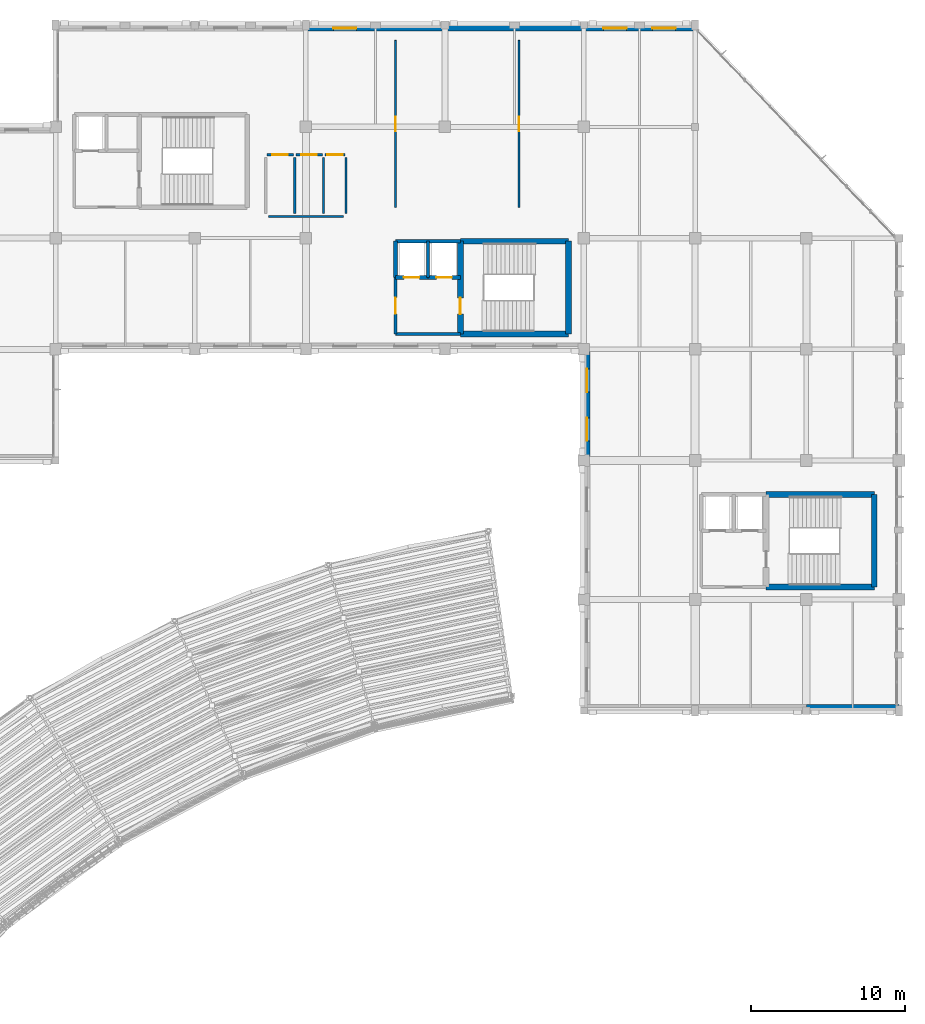
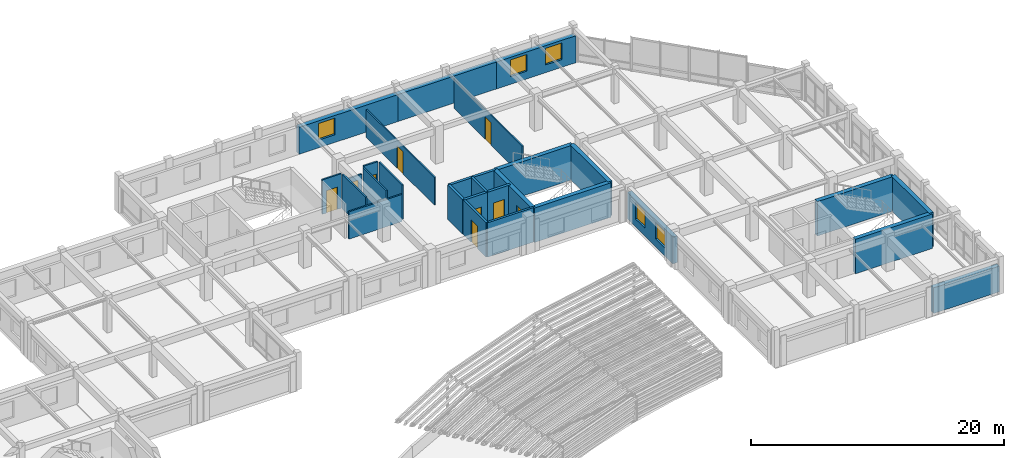
# One storey, part 55 of 74: 28 walls, 9 doors, 5 windows, 14 openings.
"""IFC4 building model written with IfcOpenShell, lengths in metres."""

from ifc_helpers import new_model, si_unit, direction, frame, frame_2d, origin, place, context, subcontext, project, spatial, rectangle, extrude, material, layer, layer_set, type_object, element, fill, save


model = new_model("IFC4")

# Units and contexts
model_context = context("Model", 3, precision=1e-05, world=origin(), true_north=direction((0.0, 1.0)))
body_context = subcontext(model_context, "Body", "Model", "MODEL_VIEW")
ifc_project = project(units=[si_unit("LENGTHUNIT", "METRE"), si_unit("AREAUNIT", "SQUARE_METRE"), si_unit("VOLUMEUNIT", "CUBIC_METRE"), si_unit("PLANEANGLEUNIT", "RADIAN"), si_unit("MASSUNIT", "GRAM", prefix="KILO")], contexts=[model_context])

# Site, building, storey
site_placement = place(None, origin())
site = spatial("IfcSite", under=ifc_project, at=site_placement, CompositionType="ELEMENT")
building_placement = place(site_placement, origin())
building = spatial("IfcBuilding", under=site, at=building_placement, Name="Clarverna Civic Hall", CompositionType="ELEMENT")
storey_placement = place(building_placement, frame((0.0, 0.0, 13.199951171875)))
storey = spatial("IfcBuildingStorey", under=building, at=storey_placement, Name="L03", CompositionType="ELEMENT", Elevation=13.199951171875)

# Wall, opening, window
ifc_material_1 = material(Name="Montjuic Limestone Ashlar Cladding", Category="masonry")
ifc_layer_1 = layer(ifc_material_1, 0.39990234375)
ifc_layer_set_1 = layer_set([ifc_layer_1], Name="Montjuic Limestone Ashlar Cladding")
wall_type_1 = type_object("IfcWallType", Name="EW-02", PredefinedType="SOLIDWALL", material=ifc_layer_set_1)
wall_1_placement = place(storey_placement, frame((129.60009765625, 115.800048828125, 0.0), z_axis=(0.0, 0.0, 1.0), x_axis=(1.0, 0.0, 0.0)))
wall_1 = element("IfcWall", 1, at=wall_1_placement, inside=storey, type_object=wall_type_1, Name="EW-02-145", PredefinedType="SOLIDWALL", context=body_context, shape_type="SweptSolid", body=[
    extrude(rectangle(XDim=9.0, YDim=0.39990234375, at=frame_2d((4.5, 0.0))), origin(), (0.0, 0.0, 1.0), 2.60009765625),
])
opening_1_placement = place(wall_1_placement, frame((1.77001953125, 0.0, 0.75)))
opening_1 = element("IfcOpeningElement", 2, at=opening_1_placement, cuts=wall_1, Name="Opening WN-14", PredefinedType="OPENING", context=body_context, shape_type="SweptSolid", body=[
    extrude(rectangle(XDim=1.5, YDim=1.60009765625, at=frame_2d((0.75, 0.800048828125))), frame((0.0, 0.2099609375, 0.0), z_axis=(0.0, -1.0, 0.0), x_axis=(1.0, 0.0, 0.0)), (0.0, 0.0, 1.0), 0.419921875),
])
ifc_material_2 = material(Name="Solar-Control Argon Low-E Double Glazing", Category="glass")
window_type = type_object("IfcWindowType", Name="WN-14", PartitioningType="DOUBLE_PANEL_HORIZONTAL", PredefinedType="WINDOW", material=ifc_material_2)
window_1_placement = place(opening_1_placement, origin())
window_1 = element("IfcWindow", 3, at=window_1_placement, inside=storey, type_object=window_type, Name="WN-14-121", OverallHeight=1.60009765625, OverallWidth=1.5, PartitioningType="DOUBLE_PANEL_HORIZONTAL", PredefinedType="WINDOW", context=body_context, shape_type="SweptSolid", body=[
    extrude(rectangle(XDim=1.5, YDim=1.60009765625, at=frame_2d((0.75, 0.800048828125))), frame((0.0, 0.030029296875, 0.0), z_axis=(0.0, -1.0, 0.0), x_axis=(1.0, 0.0, 0.0)), (0.0, 0.0, 1.0), 0.06005859375),
])
fill(opening_1, window_1)

# Wall
wall_2_placement = place(storey_placement, frame((138.60009765625, 115.800048828125, 0.0), z_axis=(0.0, 0.0, 1.0), x_axis=(1.0, 0.0, 0.0)))
element("IfcWall", 4, at=wall_2_placement, inside=storey, type_object=wall_type_1, Name="EW-02-146", PredefinedType="SOLIDWALL", context=body_context, shape_type="SweptSolid", body=[
    extrude(rectangle(XDim=9.0, YDim=0.39990234375, at=frame_2d((4.5, 0.0))), origin(), (0.0, 0.0, 1.0), 2.60009765625),
])

# Wall, openings, windows
wall_3_placement = place(storey_placement, frame((147.60009765625, 115.800048828125, 0.0), z_axis=(0.0, 0.0, 1.0), x_axis=(1.0, 0.0, 0.0)))
wall_3 = element("IfcWall", 5, at=wall_3_placement, inside=storey, type_object=wall_type_1, Name="EW-02-147", PredefinedType="SOLIDWALL", context=body_context, shape_type="SweptSolid", body=[
    extrude(rectangle(XDim=7.199951171875, YDim=0.39990234375, at=frame_2d((3.60009765625, 0.0))), origin(), (0.0, 0.0, 1.0), 2.60009765625),
])
opening_2_placement = place(wall_3_placement, frame((1.26611328125, 0.0, 0.75)))
opening_2 = element("IfcOpeningElement", 6, at=opening_2_placement, cuts=wall_3, Name="Opening WN-14", PredefinedType="OPENING", context=body_context, shape_type="SweptSolid", body=[
    extrude(rectangle(XDim=1.5, YDim=1.60009765625, at=frame_2d((0.75, 0.800048828125))), frame((0.0, 0.2099609375, 0.0), z_axis=(0.0, -1.0, 0.0), x_axis=(1.0, 0.0, 0.0)), (0.0, 0.0, 1.0), 0.419921875),
])
opening_3_placement = place(wall_3_placement, frame((4.43408203125, 0.0, 0.75)))
opening_3 = element("IfcOpeningElement", 7, at=opening_3_placement, cuts=wall_3, Name="Opening WN-14", PredefinedType="OPENING", context=body_context, shape_type="SweptSolid", body=[
    extrude(rectangle(XDim=1.5, YDim=1.60009765625, at=frame_2d((0.75, 0.800048828125))), frame((0.0, 0.2099609375, 0.0), z_axis=(0.0, -1.0, 0.0), x_axis=(1.0, 0.0, 0.0)), (0.0, 0.0, 1.0), 0.419921875),
])
window_2_placement = place(opening_2_placement, origin())
window_2 = element("IfcWindow", 8, at=window_2_placement, inside=storey, type_object=window_type, Name="WN-14-122", OverallHeight=1.60009765625, OverallWidth=1.5, PartitioningType="DOUBLE_PANEL_HORIZONTAL", PredefinedType="WINDOW", context=body_context, shape_type="SweptSolid", body=[
    extrude(rectangle(XDim=1.5, YDim=1.60009765625, at=frame_2d((0.75, 0.800048828125))), frame((0.0, 0.030029296875, 0.0), z_axis=(0.0, -1.0, 0.0), x_axis=(1.0, 0.0, 0.0)), (0.0, 0.0, 1.0), 0.06005859375),
])
fill(opening_2, window_2)
window_3_placement = place(opening_3_placement, origin())
window_3 = element("IfcWindow", 9, at=window_3_placement, inside=storey, type_object=window_type, Name="WN-14-123", OverallHeight=1.60009765625, OverallWidth=1.5, PartitioningType="DOUBLE_PANEL_HORIZONTAL", PredefinedType="WINDOW", context=body_context, shape_type="SweptSolid", body=[
    extrude(rectangle(XDim=1.5, YDim=1.60009765625, at=frame_2d((0.75, 0.800048828125))), frame((0.0, 0.030029296875, 0.0), z_axis=(0.0, -1.0, 0.0), x_axis=(1.0, 0.0, 0.0)), (0.0, 0.0, 1.0), 0.06005859375),
])
fill(opening_3, window_3)

# Wall
wall_4_placement = place(storey_placement, frame((168.0, 71.800048828125, 0.0), z_axis=(0.0, 0.0, 1.0), x_axis=(-1.0, 0.0, 0.0)))
element("IfcWall", 10, at=wall_4_placement, inside=storey, type_object=wall_type_1, Name="EW-02-148", PredefinedType="SOLIDWALL", context=body_context, shape_type="SweptSolid", body=[
    extrude(rectangle(XDim=6.0, YDim=0.39990234375, at=frame_2d((3.0, 0.0))), origin(), (0.0, 0.0, 1.0), 2.469970703125),
])

# Wall, openings, windows
wall_5_placement = place(storey_placement, frame((147.800048828125, 87.800048828125, 0.0), z_axis=(0.0, 0.0, 1.0), x_axis=(0.0, 1.0, 0.0)))
wall_5 = element("IfcWall", 11, at=wall_5_placement, inside=storey, type_object=wall_type_1, Name="EW-02-153", PredefinedType="SOLIDWALL", context=body_context, shape_type="SweptSolid", body=[
    extrude(rectangle(XDim=7.199951171875, YDim=0.39990234375, at=frame_2d((3.60009765625, 0.0))), origin(), (0.0, 0.0, 1.0), 2.570068359375),
])
opening_4_placement = place(wall_5_placement, frame((1.26611328125, 0.0, 0.75)))
opening_4 = element("IfcOpeningElement", 12, at=opening_4_placement, cuts=wall_5, Name="Opening WN-14", PredefinedType="OPENING", context=body_context, shape_type="SweptSolid", body=[
    extrude(rectangle(XDim=1.5, YDim=1.60009765625, at=frame_2d((0.75, 0.800048828125))), frame((0.0, 0.2099609375, 0.0), z_axis=(0.0, -1.0, 0.0), x_axis=(1.0, 0.0, 0.0)), (0.0, 0.0, 1.0), 0.419921875),
])
opening_5_placement = place(wall_5_placement, frame((4.43408203125, 0.0, 0.75)))
opening_5 = element("IfcOpeningElement", 13, at=opening_5_placement, cuts=wall_5, Name="Opening WN-14", PredefinedType="OPENING", context=body_context, shape_type="SweptSolid", body=[
    extrude(rectangle(XDim=1.5, YDim=1.60009765625, at=frame_2d((0.75, 0.800048828125))), frame((0.0, 0.2099609375, 0.0), z_axis=(0.0, -1.0, 0.0), x_axis=(1.0, 0.0, 0.0)), (0.0, 0.0, 1.0), 0.419921875),
])
window_4_placement = place(opening_4_placement, origin())
window_4 = element("IfcWindow", 14, at=window_4_placement, inside=storey, type_object=window_type, Name="WN-14-128", OverallHeight=1.60009765625, OverallWidth=1.5, PartitioningType="DOUBLE_PANEL_HORIZONTAL", PredefinedType="WINDOW", context=body_context, shape_type="SweptSolid", body=[
    extrude(rectangle(XDim=1.5, YDim=1.60009765625, at=frame_2d((0.75, 0.800048828125))), frame((0.0, 0.030029296875, 0.0), z_axis=(0.0, -1.0, 0.0), x_axis=(1.0, 0.0, 0.0)), (0.0, 0.0, 1.0), 0.06005859375),
])
fill(opening_4, window_4)
window_5_placement = place(opening_5_placement, origin())
window_5 = element("IfcWindow", 15, at=window_5_placement, inside=storey, type_object=window_type, Name="WN-14-129", OverallHeight=1.60009765625, OverallWidth=1.5, PartitioningType="DOUBLE_PANEL_HORIZONTAL", PredefinedType="WINDOW", context=body_context, shape_type="SweptSolid", body=[
    extrude(rectangle(XDim=1.5, YDim=1.60009765625, at=frame_2d((0.75, 0.800048828125))), frame((0.0, 0.030029296875, 0.0), z_axis=(0.0, -1.0, 0.0), x_axis=(1.0, 0.0, 0.0)), (0.0, 0.0, 1.0), 0.06005859375),
])
fill(opening_5, window_5)

# Walls
ifc_material_3 = material(Name="Ceramic Brick and Plaster Wet-Room Partition", Category="masonry")
ifc_layer_2 = layer(ifc_material_3, 0.139892578125)
ifc_layer_set_2 = layer_set([ifc_layer_2], Name="Ceramic Brick and Plaster Wet-Room Partition")
wall_type_2 = type_object("IfcWallType", Name="PW-02", PredefinedType="PARTITIONING", material=ifc_layer_set_2)
wall_6_placement = place(storey_placement, frame((127.179931640625, 103.60009765625, 0.0), z_axis=(0.0, 0.0, 1.0), x_axis=(1.0, 0.0, 0.0)))
element("IfcWall", 16, at=wall_6_placement, inside=storey, type_object=wall_type_2, Name="PW-02-033", PredefinedType="PARTITIONING", context=body_context, shape_type="SweptSolid", body=[
    extrude(rectangle(XDim=4.840087890625, YDim=0.139892578125, at=frame_2d((2.419921875, 0.0))), origin(), (0.0, 0.0, 1.0), 2.6201171875),
])
for number, where, z_axis, x_axis, name in (
    (17, (132.199951171875, 103.780029296875, 0.0), (0.0, 0.0, 1.0), (0.0, 1.0, 0.0), "PW-02-035"),
    (18, (128.8720703125, 103.780029296875, 0.0), (0.0, 0.0, 1.0), (0.0, 1.0, 0.0), "PW-02-036"),
    (19, (130.743896484375, 103.780029296875, 0.0), (0.0, 0.0, 1.0), (0.0, 1.0, 0.0), "PW-02-037"),
):
    element("IfcWall", number, at=place(storey_placement, frame(where, z_axis=z_axis, x_axis=x_axis)), inside=storey, type_object=wall_type_2, Name=name, PredefinedType="PARTITIONING", context=body_context, shape_type="SweptSolid", body=[
        extrude(rectangle(XDim=3.639892578125, YDim=0.139892578125, at=frame_2d((1.81982421875, 0.0))), origin(), (0.0, 0.0, 1.0), 3.320068359375),
    ])

# Wall, opening, door
wall_7_placement = place(storey_placement, frame((127.080078125, 107.60009765625, 0.0), z_axis=(0.0, 0.0, 1.0), x_axis=(1.0, 0.0, 0.0)))
wall_7 = element("IfcWall", 20, at=wall_7_placement, inside=storey, type_object=wall_type_2, Name="PW-02-038", PredefinedType="PARTITIONING", context=body_context, shape_type="SweptSolid", body=[
    extrude(rectangle(XDim=1.7119140625, YDim=0.139892578125, at=frame_2d((0.85595703125, 0.0))), origin(), (0.0, 0.0, 1.0), 3.320068359375),
])
opening_6_placement = place(wall_7_placement, frame((0.35595703125, 0.0, 0.0)))
opening_6 = element("IfcOpeningElement", 21, at=opening_6_placement, cuts=wall_7, Name="Opening ID-02", PredefinedType="OPENING", context=body_context, shape_type="SweptSolid", body=[
    extrude(rectangle(XDim=1.0, YDim=2.14990234375, at=frame_2d((0.5, 1.074951171875))), frame((0.0, 0.079833984375, 0.0), z_axis=(0.0, -1.0, 0.0), x_axis=(1.0, 0.0, 0.0)), (0.0, 0.0, 1.0), 0.159912109375),
])
ifc_material_4 = material(Name="European Oak Veneered Acoustic Timber Door", Category="wood")
door_type_1 = type_object("IfcDoorType", Name="ID-02", OperationType="NOTDEFINED", PredefinedType="DOOR", material=ifc_material_4)
door_1_placement = place(opening_6_placement, origin())
door_1 = element("IfcDoor", 22, at=door_1_placement, inside=storey, type_object=door_type_1, Name="ID-02-013", OperationType="SINGLE_SWING_LEFT", OverallHeight=2.14990234375, OverallWidth=1.0, PredefinedType="DOOR", context=body_context, shape_type="SweptSolid", body=[
    extrude(rectangle(XDim=1.0, YDim=2.14990234375, at=frame_2d((0.5, 1.074951171875))), frame((0.0, 0.02490234375, 0.0), z_axis=(0.0, -1.0, 0.0), x_axis=(1.0, 0.0, 0.0)), (0.0, 0.0, 1.0), 0.050048828125),
])
fill(opening_6, door_1)

wall_8_placement = place(storey_placement, frame((128.951904296875, 107.60009765625, 0.0), z_axis=(0.0, 0.0, 1.0), x_axis=(1.0, 0.0, 0.0)))
wall_8 = element("IfcWall", 23, at=wall_8_placement, inside=storey, type_object=wall_type_2, Name="PW-02-039", PredefinedType="PARTITIONING", context=body_context, shape_type="SweptSolid", body=[
    extrude(rectangle(XDim=1.712158203125, YDim=0.139892578125, at=frame_2d((0.85595703125, 0.0))), origin(), (0.0, 0.0, 1.0), 2.6201171875),
])
opening_7_placement = place(wall_8_placement, frame((0.35595703125, 0.0, 0.0)))
opening_7 = element("IfcOpeningElement", 24, at=opening_7_placement, cuts=wall_8, Name="Opening ID-02", PredefinedType="OPENING", context=body_context, shape_type="SweptSolid", body=[
    extrude(rectangle(XDim=1.0, YDim=2.14990234375, at=frame_2d((0.5, 1.074951171875))), frame((0.0, 0.079833984375, 0.0), z_axis=(0.0, -1.0, 0.0), x_axis=(1.0, 0.0, 0.0)), (0.0, 0.0, 1.0), 0.159912109375),
])
door_2_placement = place(opening_7_placement, origin())
door_2 = element("IfcDoor", 25, at=door_2_placement, inside=storey, type_object=door_type_1, Name="ID-02-014", OperationType="SINGLE_SWING_RIGHT", OverallHeight=2.14990234375, OverallWidth=1.0, PredefinedType="DOOR", context=body_context, shape_type="SweptSolid", body=[
    extrude(rectangle(XDim=1.0, YDim=2.14990234375, at=frame_2d((0.5, 1.074951171875))), frame((0.0, 0.02490234375, 0.0), z_axis=(0.0, -1.0, 0.0), x_axis=(1.0, 0.0, 0.0)), (0.0, 0.0, 1.0), 0.050048828125),
])
fill(opening_7, door_2)

wall_9_placement = place(storey_placement, frame((130.823974609375, 107.60009765625, 0.0), z_axis=(0.0, 0.0, 1.0), x_axis=(1.0, 0.0, 0.0)))
wall_9 = element("IfcWall", 26, at=wall_9_placement, inside=storey, type_object=wall_type_2, Name="PW-02-040", PredefinedType="PARTITIONING", context=body_context, shape_type="SweptSolid", body=[
    extrude(rectangle(XDim=1.296142578125, YDim=0.139892578125, at=frame_2d((0.64794921875, 0.0))), origin(), (0.0, 0.0, 1.0), 3.320068359375),
])
opening_8_placement = place(wall_9_placement, frame((0.14794921875, 0.0, 0.0)))
opening_8 = element("IfcOpeningElement", 27, at=opening_8_placement, cuts=wall_9, Name="Opening ID-02", PredefinedType="OPENING", context=body_context, shape_type="SweptSolid", body=[
    extrude(rectangle(XDim=1.0, YDim=2.14990234375, at=frame_2d((0.5, 1.074951171875))), frame((0.0, 0.079833984375, 0.0), z_axis=(0.0, -1.0, 0.0), x_axis=(1.0, 0.0, 0.0)), (0.0, 0.0, 1.0), 0.159912109375),
])
door_3_placement = place(opening_8_placement, origin())
door_3 = element("IfcDoor", 28, at=door_3_placement, inside=storey, type_object=door_type_1, Name="ID-02-015", OperationType="SINGLE_SWING_LEFT", OverallHeight=2.14990234375, OverallWidth=1.0, PredefinedType="DOOR", context=body_context, shape_type="SweptSolid", body=[
    extrude(rectangle(XDim=1.0, YDim=2.14990234375, at=frame_2d((0.5, 1.074951171875))), frame((0.0, 0.02490234375, 0.0), z_axis=(0.0, -1.0, 0.0), x_axis=(1.0, 0.0, 0.0)), (0.0, 0.0, 1.0), 0.050048828125),
])
fill(opening_8, door_3)

ifc_material_5 = material(Name="Gypsum Plasterboard Partition", Category="gypsum")
ifc_layer_3 = layer(ifc_material_5, 0.1201171875)
ifc_layer_set_3 = layer_set([ifc_layer_3], Name="Gypsum Plasterboard Partition")
wall_type_3 = type_object("IfcWallType", Name="PW-03", PredefinedType="PARTITIONING", material=ifc_layer_set_3)
wall_10_placement = place(storey_placement, frame((135.39990234375, 104.199951171875, 0.0), z_axis=(0.0, 0.0, 1.0), x_axis=(0.0, 1.0, 0.0)))
wall_10 = element("IfcWall", 29, at=wall_10_placement, inside=storey, type_object=wall_type_3, Name="PW-03-005", PredefinedType="PARTITIONING", context=body_context, shape_type="SweptSolid", body=[
    extrude(rectangle(XDim=10.800048828125, YDim=0.1201171875, at=frame_2d((5.39990234375, 0.0))), origin(), (0.0, 0.0, 1.0), 2.670166015625),
])
opening_9_placement = place(wall_10_placement, frame((4.925048828125, 0.0, 0.0)))
opening_9 = element("IfcOpeningElement", 30, at=opening_9_placement, cuts=wall_10, Name="Opening ID-01", PredefinedType="OPENING", context=body_context, shape_type="SweptSolid", body=[
    extrude(rectangle(XDim=0.949951171875, YDim=2.14990234375, at=frame_2d((0.47509765625, 1.074951171875))), frame((0.0, 0.070068359375, 0.0), z_axis=(0.0, -1.0, 0.0), x_axis=(1.0, 0.0, 0.0)), (0.0, 0.0, 1.0), 0.14013671875),
])
door_type_2 = type_object("IfcDoorType", Name="ID-01", OperationType="NOTDEFINED", PredefinedType="DOOR", material=ifc_material_4)
door_4_placement = place(opening_9_placement, origin())
door_4 = element("IfcDoor", 31, at=door_4_placement, inside=storey, type_object=door_type_2, Name="ID-01-006", OperationType="SINGLE_SWING_LEFT", OverallHeight=2.14990234375, OverallWidth=0.949951171875, PredefinedType="DOOR", context=body_context, shape_type="SweptSolid", body=[
    extrude(rectangle(XDim=0.949951171875, YDim=2.14990234375, at=frame_2d((0.47509765625, 1.074951171875))), frame((0.0, 0.02490234375, 0.0), z_axis=(0.0, -1.0, 0.0), x_axis=(1.0, 0.0, 0.0)), (0.0, 0.0, 1.0), 0.050048828125),
])
fill(opening_9, door_4)

wall_11_placement = place(storey_placement, frame((143.39990234375, 104.199951171875, 0.0), z_axis=(0.0, 0.0, 1.0), x_axis=(0.0, 1.0, 0.0)))
wall_11 = element("IfcWall", 32, at=wall_11_placement, inside=storey, type_object=wall_type_3, Name="PW-03-006", PredefinedType="PARTITIONING", context=body_context, shape_type="SweptSolid", body=[
    extrude(rectangle(XDim=10.800048828125, YDim=0.1201171875, at=frame_2d((5.39990234375, 0.0))), origin(), (0.0, 0.0, 1.0), 2.8701171875),
])
opening_10_placement = place(wall_11_placement, frame((4.925048828125, 0.0, 0.0)))
opening_10 = element("IfcOpeningElement", 33, at=opening_10_placement, cuts=wall_11, Name="Opening ID-01", PredefinedType="OPENING", context=body_context, shape_type="SweptSolid", body=[
    extrude(rectangle(XDim=0.949951171875, YDim=2.14990234375, at=frame_2d((0.47509765625, 1.074951171875))), frame((0.0, 0.070068359375, 0.0), z_axis=(0.0, -1.0, 0.0), x_axis=(1.0, 0.0, 0.0)), (0.0, 0.0, 1.0), 0.14013671875),
])
door_5_placement = place(opening_10_placement, origin())
door_5 = element("IfcDoor", 34, at=door_5_placement, inside=storey, type_object=door_type_2, Name="ID-01-007", OperationType="SINGLE_SWING_RIGHT", OverallHeight=2.14990234375, OverallWidth=0.949951171875, PredefinedType="DOOR", context=body_context, shape_type="SweptSolid", body=[
    extrude(rectangle(XDim=0.949951171875, YDim=2.14990234375, at=frame_2d((0.47509765625, 1.074951171875))), frame((0.0, 0.02490234375, 0.0), z_axis=(0.0, -1.0, 0.0), x_axis=(1.0, 0.0, 0.0)), (0.0, 0.0, 1.0), 0.050048828125),
])
fill(opening_10, door_5)

ifc_material_6 = material(Name="Acoustic Gypsum Plasterboard on Twin Frame", Category="gypsum")
ifc_layer_4 = layer(ifc_material_6, 0.18994140625)
ifc_layer_set_4 = layer_set([ifc_layer_4], Name="Acoustic Gypsum Plasterboard on Twin Frame")
wall_type_4 = type_object("IfcWallType", Name="PW-06", PredefinedType="PARTITIONING", material=ifc_layer_set_4)
wall_12_placement = place(storey_placement, frame((135.39990234375, 96.0, 0.0), z_axis=(0.0, 0.0, 1.0), x_axis=(0.0, 1.0, 0.0)))
wall_12 = element("IfcWall", 35, at=wall_12_placement, inside=storey, type_object=wall_type_4, Name="PW-06-009", PredefinedType="PARTITIONING", context=body_context, shape_type="SweptSolid", body=[
    extrude(rectangle(XDim=3.64990234375, YDim=0.18994140625, at=frame_2d((1.824951171875, 0.0))), origin(), (0.0, 0.0, 1.0), 3.320068359375),
])
opening_11_placement = place(wall_12_placement, frame((1.300048828125, 0.0, 0.0)))
opening_11 = element("IfcOpeningElement", 36, at=opening_11_placement, cuts=wall_12, Name="Opening FD-02", PredefinedType="OPENING", context=body_context, shape_type="SweptSolid", body=[
    extrude(rectangle(XDim=1.050048828125, YDim=2.14990234375, at=frame_2d((0.52490234375, 1.074951171875))), frame((0.0, 0.10498046875, 0.0), z_axis=(0.0, -1.0, 0.0), x_axis=(1.0, 0.0, 0.0)), (0.0, 0.0, 1.0), 0.2099609375),
])
ifc_material_7 = material(Name="Acoustic Timber-Faced Fire Door", Category="wood")
door_type_3 = type_object("IfcDoorType", Name="FD-02", OperationType="NOTDEFINED", PredefinedType="DOOR", material=ifc_material_7)
door_6_placement = place(opening_11_placement, origin())
door_6 = element("IfcDoor", 37, at=door_6_placement, inside=storey, type_object=door_type_3, Name="FD-02-009", OperationType="SINGLE_SWING_RIGHT", OverallHeight=2.14990234375, OverallWidth=1.050048828125, PredefinedType="DOOR", context=body_context, shape_type="SweptSolid", body=[
    extrude(rectangle(XDim=1.050048828125, YDim=2.14990234375, at=frame_2d((0.52490234375, 1.074951171875))), frame((0.0, 0.02490234375, 0.0), z_axis=(0.0, -1.0, 0.0), x_axis=(1.0, 0.0, 0.0)), (0.0, 0.0, 1.0), 0.050048828125),
])
fill(opening_11, door_6)

# Wall
wall_13_placement = place(storey_placement, frame((135.39990234375, 96.0, 0.0), z_axis=(0.0, 0.0, 1.0), x_axis=(1.0, 0.0, 0.0)))
element("IfcWall", 38, at=wall_13_placement, inside=storey, type_object=wall_type_4, Name="PW-06-010", PredefinedType="PARTITIONING", context=body_context, shape_type="SweptSolid", body=[
    extrude(rectangle(XDim=4.2001953125, YDim=0.18994140625, at=frame_2d((2.10009765625, 0.0))), origin(), (0.0, 0.0, 1.0), 3.320068359375),
])

# Wall, opening, door
ifc_material_8 = material(Name="Concrete C35/45", Category="concrete")
ifc_layer_5 = layer(ifc_material_8, 0.3798828125)
ifc_layer_set_5 = layer_set([ifc_layer_5], Name="Concrete C35/45")
wall_type_5 = type_object("IfcWallType", Name="SW-01", PredefinedType="SHEAR", material=ifc_layer_set_5)
wall_14_placement = place(storey_placement, frame((139.60009765625, 96.0, 0.0), z_axis=(0.0, 0.0, 1.0), x_axis=(0.0, 1.0, 0.0)))
wall_14 = element("IfcWall", 39, at=wall_14_placement, inside=storey, type_object=wall_type_5, Name="SW-01-037", PredefinedType="SHEAR", context=body_context, shape_type="SweptSolid", body=[
    extrude(rectangle(XDim=6.0, YDim=0.3798828125, at=frame_2d((3.0, 0.0))), origin(), (0.0, 0.0, 1.0), 3.320068359375),
])
opening_12_placement = place(wall_14_placement, frame((1.27490234375, 0.0, 0.0)))
opening_12 = element("IfcOpeningElement", 40, at=opening_12_placement, cuts=wall_14, Name="Opening FD-02", PredefinedType="OPENING", context=body_context, shape_type="SweptSolid", body=[
    extrude(rectangle(XDim=1.050048828125, YDim=2.14990234375, at=frame_2d((0.52490234375, 1.074951171875))), frame((0.0, 0.199951171875, 0.0), z_axis=(0.0, -1.0, 0.0), x_axis=(1.0, 0.0, 0.0)), (0.0, 0.0, 1.0), 0.39990234375),
])
door_7_placement = place(opening_12_placement, origin())
door_7 = element("IfcDoor", 41, at=door_7_placement, inside=storey, type_object=door_type_3, Name="FD-02-008", OperationType="SINGLE_SWING_LEFT", OverallHeight=2.14990234375, OverallWidth=1.050048828125, PredefinedType="DOOR", context=body_context, shape_type="SweptSolid", body=[
    extrude(rectangle(XDim=1.050048828125, YDim=2.14990234375, at=frame_2d((0.52490234375, 1.074951171875))), frame((0.0, 0.02490234375, 0.0), z_axis=(0.0, -1.0, 0.0), x_axis=(1.0, 0.0, 0.0)), (0.0, 0.0, 1.0), 0.050048828125),
])
fill(opening_12, door_7)

# Walls
wall_15_placement = place(storey_placement, frame((146.60009765625, 96.0, 0.0), z_axis=(0.0, 0.0, 1.0), x_axis=(0.0, 1.0, 0.0)))
element("IfcWall", 42, at=wall_15_placement, inside=storey, type_object=wall_type_5, Name="SW-01-038", PredefinedType="SHEAR", context=body_context, shape_type="SweptSolid", body=[
    extrude(rectangle(XDim=6.0, YDim=0.3798828125, at=frame_2d((3.0, 0.0))), origin(), (0.0, 0.0, 1.0), 3.320068359375),
])
for number, where, z_axis, x_axis, name in (
    (43, (139.60009765625, 96.0, 0.0), (0.0, 0.0, 1.0), (1.0, 0.0, 0.0), "SW-01-039"),
    (44, (139.60009765625, 102.0, 0.0), (0.0, 0.0, 1.0), (1.0, 0.0, 0.0), "SW-01-040"),
):
    element("IfcWall", number, at=place(storey_placement, frame(where, z_axis=z_axis, x_axis=x_axis)), inside=storey, type_object=wall_type_5, Name=name, PredefinedType="SHEAR", context=body_context, shape_type="SweptSolid", body=[
        extrude(rectangle(XDim=7.0, YDim=0.3798828125, at=frame_2d((3.5, 0.0))), origin(), (0.0, 0.0, 1.0), 3.320068359375),
    ])
wall_16_placement = place(storey_placement, frame((135.39990234375, 102.0, 0.0), z_axis=(0.0, 0.0, 1.0), x_axis=(1.0, 0.0, 0.0)))
element("IfcWall", 45, at=wall_16_placement, inside=storey, type_object=wall_type_5, Name="SW-01-041", PredefinedType="SHEAR", context=body_context, shape_type="SweptSolid", body=[
    extrude(rectangle(XDim=4.2001953125, YDim=0.239990234375, at=frame_2d((2.10009765625, 0.0))), origin(), (0.0, 0.0, 1.0), 3.320068359375),
])
wall_17_placement = place(storey_placement, frame((135.39990234375, 99.64990234375, 0.0), z_axis=(0.0, 0.0, 1.0), x_axis=(0.0, 1.0, 0.0)))
element("IfcWall", 46, at=wall_17_placement, inside=storey, type_object=wall_type_5, Name="SW-01-042", PredefinedType="SHEAR", context=body_context, shape_type="SweptSolid", body=[
    extrude(rectangle(XDim=2.35009765625, YDim=0.239990234375, at=frame_2d((1.175048828125, 0.0))), origin(), (0.0, 0.0, 1.0), 3.320068359375),
])
wall_18_placement = place(storey_placement, frame((137.5, 99.64990234375, 0.0), z_axis=(0.0, 0.0, 1.0), x_axis=(0.0, 1.0, 0.0)))
element("IfcWall", 47, at=wall_18_placement, inside=storey, type_object=wall_type_5, Name="SW-01-043", PredefinedType="SHEAR", context=body_context, shape_type="SweptSolid", body=[
    extrude(rectangle(XDim=2.35009765625, YDim=0.199951171875, at=frame_2d((1.175048828125, 0.0))), origin(), (0.0, 0.0, 1.0), 3.320068359375),
])

# Wall, opening, door
wall_19_placement = place(storey_placement, frame((135.39990234375, 99.64990234375, 0.0), z_axis=(0.0, 0.0, 1.0), x_axis=(1.0, 0.0, 0.0)))
wall_19 = element("IfcWall", 48, at=wall_19_placement, inside=storey, type_object=wall_type_5, Name="SW-01-044", PredefinedType="SHEAR", context=body_context, shape_type="SweptSolid", body=[
    extrude(rectangle(XDim=2.10009765625, YDim=0.239990234375, at=frame_2d((1.050048828125, 0.0))), origin(), (0.0, 0.0, 1.0), 3.320068359375),
])
opening_13_placement = place(wall_19_placement, frame((0.550048828125, 0.0, 0.0)))
opening_13 = element("IfcOpeningElement", 49, at=opening_13_placement, cuts=wall_19, Name="Opening LD-01", PredefinedType="OPENING", context=body_context, shape_type="SweptSolid", body=[
    extrude(rectangle(XDim=1.0, YDim=2.10009765625, at=frame_2d((0.5, 1.050048828125))), frame((0.0, 0.1298828125, 0.0), z_axis=(0.0, -1.0, 0.0), x_axis=(1.0, 0.0, 0.0)), (0.0, 0.0, 1.0), 0.260009765625),
])
ifc_material_9 = material(Name="Brushed Bronze Stainless Lift Landing Door")
door_type_4 = type_object("IfcDoorType", Name="LD-01", OperationType="SLIDING_TO_LEFT", PredefinedType="DOOR", material=ifc_material_9)
door_8_placement = place(opening_13_placement, origin())
door_8 = element("IfcDoor", 50, at=door_8_placement, inside=storey, type_object=door_type_4, Name="LD-01-009", OperationType="SLIDING_TO_LEFT", OverallHeight=2.10009765625, OverallWidth=1.0, PredefinedType="DOOR", context=body_context, shape_type="SweptSolid", body=[
    extrude(rectangle(XDim=1.0, YDim=2.10009765625, at=frame_2d((0.5, 1.050048828125))), frame((0.0, 0.02490234375, 0.0), z_axis=(0.0, -1.0, 0.0), x_axis=(1.0, 0.0, 0.0)), (0.0, 0.0, 1.0), 0.050048828125),
])
fill(opening_13, door_8)

wall_20_placement = place(storey_placement, frame((137.5, 99.64990234375, 0.0), z_axis=(0.0, 0.0, 1.0), x_axis=(1.0, 0.0, 0.0)))
wall_20 = element("IfcWall", 51, at=wall_20_placement, inside=storey, type_object=wall_type_5, Name="SW-01-045", PredefinedType="SHEAR", context=body_context, shape_type="SweptSolid", body=[
    extrude(rectangle(XDim=2.10009765625, YDim=0.239990234375, at=frame_2d((1.050048828125, 0.0))), origin(), (0.0, 0.0, 1.0), 3.320068359375),
])
opening_14_placement = place(wall_20_placement, frame((0.550048828125, 0.0, 0.0)))
opening_14 = element("IfcOpeningElement", 52, at=opening_14_placement, cuts=wall_20, Name="Opening LD-01", PredefinedType="OPENING", context=body_context, shape_type="SweptSolid", body=[
    extrude(rectangle(XDim=1.0, YDim=2.10009765625, at=frame_2d((0.5, 1.050048828125))), frame((0.0, 0.1298828125, 0.0), z_axis=(0.0, -1.0, 0.0), x_axis=(1.0, 0.0, 0.0)), (0.0, 0.0, 1.0), 0.260009765625),
])
door_9_placement = place(opening_14_placement, origin())
door_9 = element("IfcDoor", 53, at=door_9_placement, inside=storey, type_object=door_type_4, Name="LD-01-010", OperationType="SLIDING_TO_LEFT", OverallHeight=2.10009765625, OverallWidth=1.0, PredefinedType="DOOR", context=body_context, shape_type="SweptSolid", body=[
    extrude(rectangle(XDim=1.0, YDim=2.10009765625, at=frame_2d((0.5, 1.050048828125))), frame((0.0, 0.02490234375, 0.0), z_axis=(0.0, -1.0, 0.0), x_axis=(1.0, 0.0, 0.0)), (0.0, 0.0, 1.0), 0.050048828125),
])
fill(opening_14, door_9)

# Walls
wall_21_placement = place(storey_placement, frame((166.39990234375, 79.60009765625, 0.0), z_axis=(0.0, 0.0, 1.0), x_axis=(0.0, 1.0, 0.0)))
element("IfcWall", 54, at=wall_21_placement, inside=storey, type_object=wall_type_5, Name="SW-01-119", PredefinedType="SHEAR", context=body_context, shape_type="SweptSolid", body=[
    extrude(rectangle(XDim=6.0, YDim=0.3798828125, at=frame_2d((3.0, 0.0))), origin(), (0.0, 0.0, 1.0), 3.320068359375),
])
for number, where, z_axis, x_axis, name in (
    (55, (159.39990234375, 79.60009765625, 0.0), (0.0, 0.0, 1.0), (1.0, 0.0, 0.0), "SW-01-120"),
    (56, (159.39990234375, 85.60009765625, 0.0), (0.0, 0.0, 1.0), (1.0, 0.0, 0.0), "SW-01-121"),
):
    element("IfcWall", number, at=place(storey_placement, frame(where, z_axis=z_axis, x_axis=x_axis)), inside=storey, type_object=wall_type_5, Name=name, PredefinedType="SHEAR", context=body_context, shape_type="SweptSolid", body=[
        extrude(rectangle(XDim=7.0, YDim=0.3798828125, at=frame_2d((3.5, 0.0))), origin(), (0.0, 0.0, 1.0), 3.320068359375),
    ])

save(model, "model.ifc")
